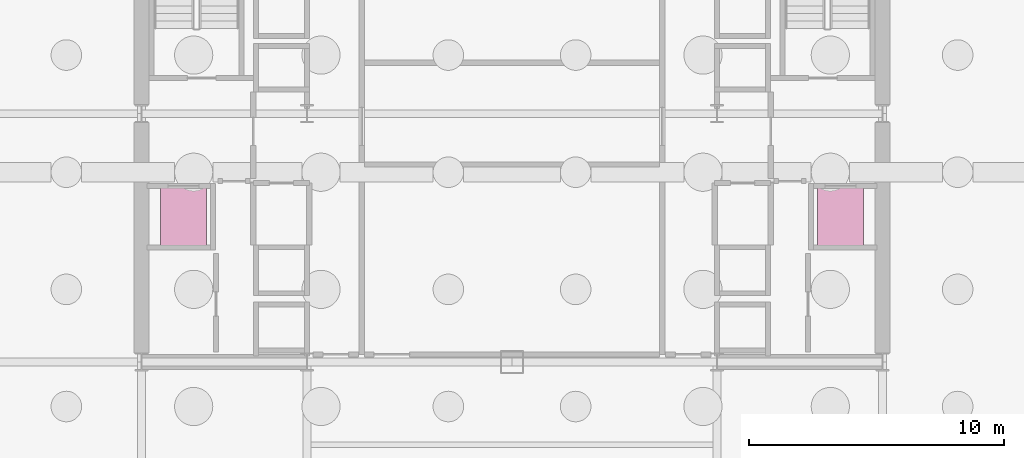
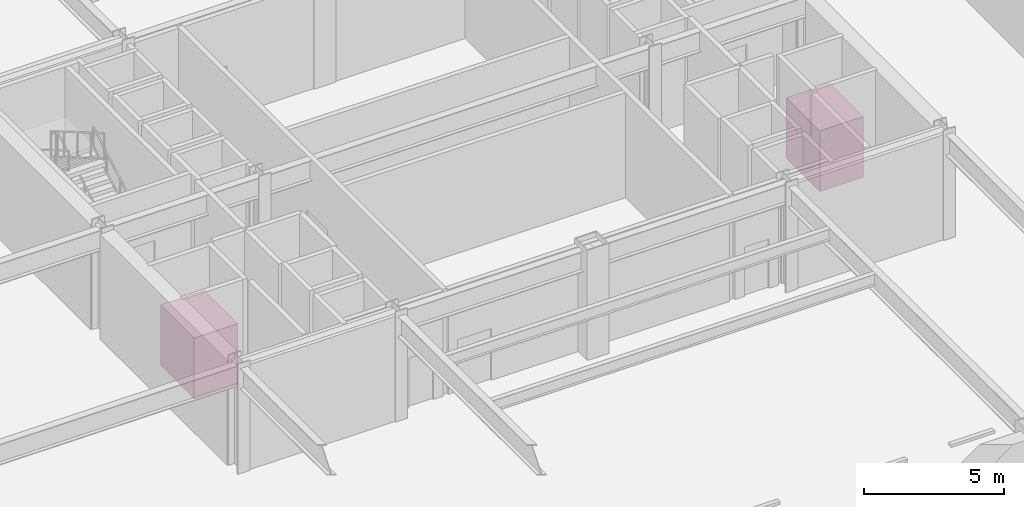
# One storey, part 8 of 8: 2 transport elements.
"""IFC4 building model written with IfcOpenShell, lengths in metres."""

from ifc_helpers import new_model, si_unit, direction, frame, origin, origin_2d, place, context, subcontext, project, spatial, rectangle, extrude, element, save


model = new_model("IFC4")

# Units and contexts
model_context = context("Model", 3, precision=1e-05, world=origin(), true_north=direction((0.0, 1.0)))
body_context = subcontext(model_context, "Body", "Model", "MODEL_VIEW")
ifc_project = project(units=[si_unit("LENGTHUNIT", "METRE"), si_unit("AREAUNIT", "SQUARE_METRE"), si_unit("VOLUMEUNIT", "CUBIC_METRE"), si_unit("PLANEANGLEUNIT", "RADIAN"), si_unit("MASSUNIT", "GRAM", prefix="KILO")], contexts=[model_context])

# Site, building, storey
site_placement = place(None, origin())
site = spatial("IfcSite", under=ifc_project, at=site_placement, CompositionType="ELEMENT")
building_placement = place(site_placement, origin())
building = spatial("IfcBuilding", under=site, at=building_placement, Name="Brelmoor Portico Tower", CompositionType="ELEMENT")
storey_placement = place(building_placement, frame((0.0, 0.0, -9.60009765625)))
storey = spatial("IfcBuildingStorey", under=building, at=storey_placement, Name="B2", CompositionType="ELEMENT", Elevation=-9.60009765625)

# Transport elements
for number, where, z_axis, x_axis, name in (
    (1, (-12.89990234375, -4.050048828125, 0.000244140625), (0.0, 0.0, 1.0), (1.0, 0.0, 0.0), "Firefighting Lift FF1"),
    (2, (12.89990234375, -4.050048828125, 0.000244140625), (0.0, 0.0, 1.0), (1.0, 0.0, 0.0), "Firefighting Lift FF2"),
):
    element("IfcTransportElement", number, at=place(storey_placement, frame(where, z_axis=z_axis, x_axis=x_axis)), inside=storey, Name=name, PredefinedType="ELEVATOR", context=body_context, shape_type="SweptSolid", body=[
        extrude(rectangle(XDim=1.800048828125, YDim=2.39990234375, at=origin_2d()), origin(), (0.0, 0.0, 1.0), 2.64990234375),
    ])

save(model, "model.ifc")
